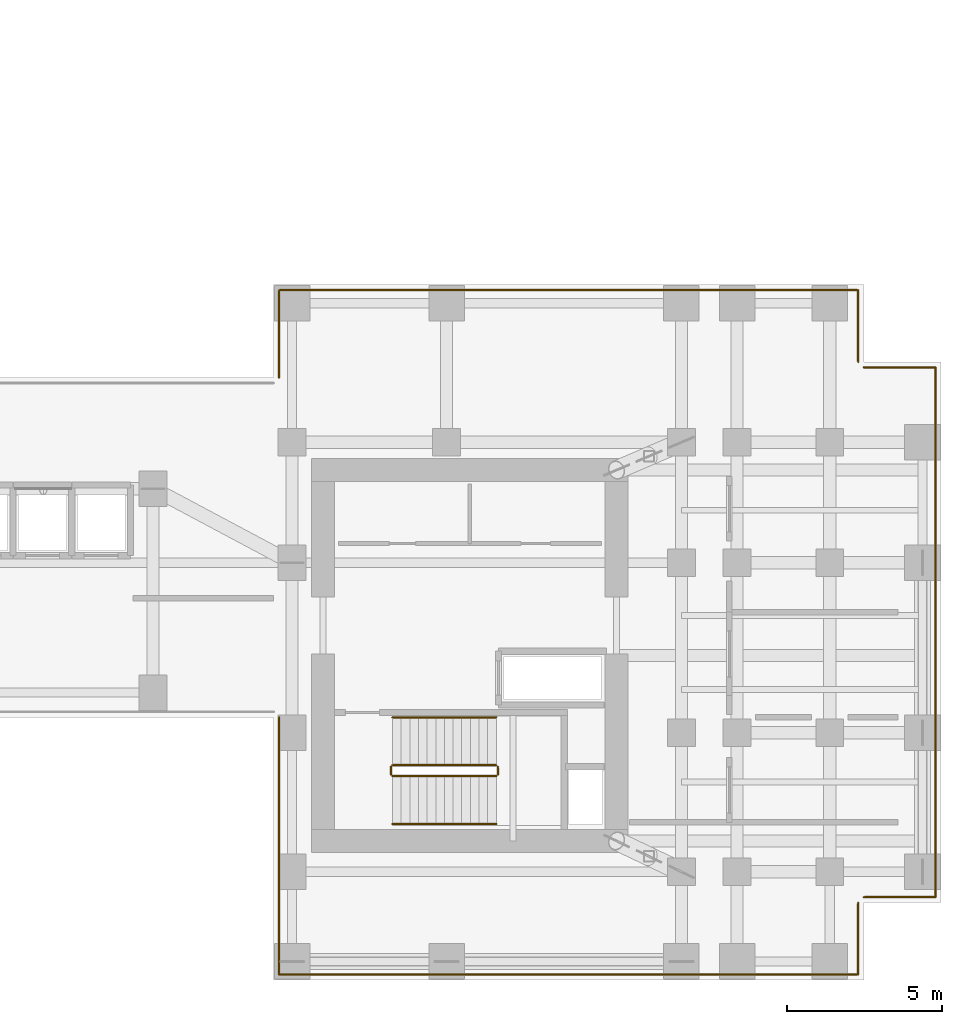
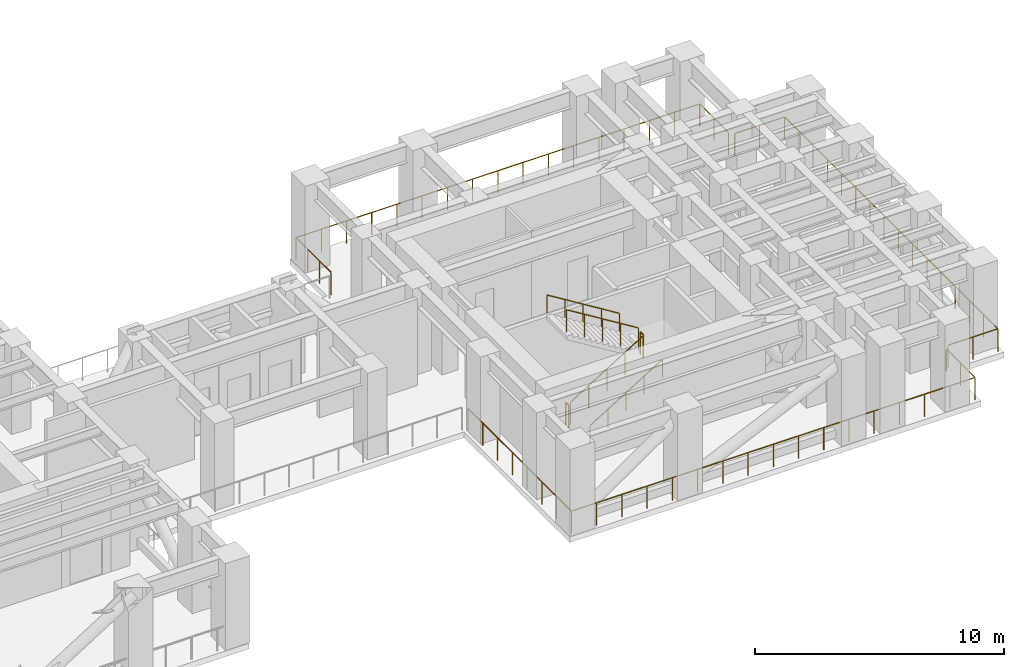
# One storey, part 15 of 16: 15 railings.
"""IFC4 building model written with IfcOpenShell, lengths in metres."""

from ifc_helpers import new_model, si_unit, direction, frame, origin, origin_2d, place, context, subcontext, project, spatial, circle, extrude, source, transform, mapped, material, layer, layer_set, type_object, element, save


model = new_model("IFC4")

# Units and contexts
model_context = context("Model", 3, precision=1e-05, world=origin(), true_north=direction((0.0, 1.0)))
body_context = subcontext(model_context, "Body", "Model", "MODEL_VIEW")
ifc_project = project(units=[si_unit("LENGTHUNIT", "METRE"), si_unit("AREAUNIT", "SQUARE_METRE"), si_unit("VOLUMEUNIT", "CUBIC_METRE"), si_unit("PLANEANGLEUNIT", "RADIAN"), si_unit("MASSUNIT", "GRAM", prefix="KILO")], contexts=[model_context])

# Site, building, storey
site_placement = place(None, origin())
site = spatial("IfcSite", under=ifc_project, at=site_placement, CompositionType="ELEMENT")
building_placement = place(site_placement, origin())
building = spatial("IfcBuilding", under=site, at=building_placement, Name="Kharzan Plaza Tower", CompositionType="ELEMENT")
storey_placement = place(building_placement, frame((0.0, 0.0, 138.60009765625)))
storey = spatial("IfcBuildingStorey", under=building, at=storey_placement, Name="L37", CompositionType="ELEMENT", Elevation=138.60009765625)

# Railings
ifc_material_1 = material(Name="Painted Galvanized Architectural Steel", Category="steel")
ifc_layer_1 = layer(ifc_material_1, 0.074951171875)
ifc_layer_set_1 = layer_set([ifc_layer_1], Name="Painted Galvanized Architectural Steel")
railing_type_1 = type_object("IfcRailingType", Name="RL-GUARD-1120", PredefinedType="BALUSTRADE", material=ifc_layer_set_1)
shared_shape_1 = source(origin(), body_context, "Body", "SweptSolid", [
    extrude(circle(Radius=0.02392578125, at=origin_2d()), frame((0.0224609375, 0.0, 1.10986328125), z_axis=(0.850623216509, 0.0, 0.525775754039), x_axis=(0.0, 1.0, 0.0)), (0.0, 0.0, 1.0), 3.897216796875),
    extrude(circle(Radius=0.02099609375, at=origin_2d()), origin(), (0.0, 0.0, 1.0), 1.072021484375),
    extrude(circle(Radius=0.02099609375, at=origin_2d()), frame((0.840087890625, 0.0, 0.519287109375)), (0.0, 0.0, 1.0), 1.072021484375),
    extrude(circle(Radius=0.02099609375, at=origin_2d()), frame((1.68017578125, 0.0, 1.03857421875)), (0.0, 0.0, 1.0), 1.072021484375),
    extrude(circle(Radius=0.02099609375, at=origin_2d()), frame((2.52001953125, 0.0, 1.5576171875)), (0.0, 0.0, 1.0), 1.072021484375),
    extrude(circle(Radius=0.02099609375, at=origin_2d()), frame((3.360107421875, 0.0, 2.076904296875)), (0.0, 0.0, 1.0), 1.072021484375),
])
railing_1_placement = place(storey_placement, frame((38.25, 6.60009765625, 0.173095703125)))
element("IfcRailing", 1, at=railing_1_placement, inside=storey, type_object=railing_type_1, Name="L37 ST-3 stair guard 1", PredefinedType="BALUSTRADE", context=body_context, shape_type="MappedRepresentation", body=[
    mapped(shared_shape_1, transform((0.0, 0.0, 0.0), x_axis=(1.0, 0.0, 0.0), y_axis=(0.0, 1.0, 0.0), z_axis=(0.0, 0.0, 1.0))),
])
shared_shape_2 = source(origin(), body_context, "Body", "SweptSolid", [
    extrude(circle(Radius=0.02392578125, at=origin_2d()), frame((0.0, 0.0263671875, 1.09619140625), z_axis=(0.0, 1.0, 0.0), x_axis=(-1.0, 0.0, 0.0)), (0.0, 0.0, 1.0), 0.197021484375),
    extrude(circle(Radius=0.02099609375, at=origin_2d()), origin(), (0.0, 0.0, 1.0), 1.072021484375),
    extrude(circle(Radius=0.02099609375, at=origin_2d()), frame((0.0, 0.25, 0.0)), (0.0, 0.0, 1.0), 1.072021484375),
])
for number, where, name in (
    (2, (41.659912109375, 6.64990234375, 2.25), "L37 ST-3 stair guard 2"),
    (3, (38.199951171875, 6.64990234375, 0.0), "L37 ST-3 stair guard 4"),
):
    element("IfcRailing", number, at=place(storey_placement, frame(where)), inside=storey, type_object=railing_type_1, Name=name, PredefinedType="BALUSTRADE", context=body_context, shape_type="MappedRepresentation", body=[
        mapped(shared_shape_2, transform((0.0, 0.0, 0.0), x_axis=(1.0, 0.0, 0.0), y_axis=(0.0, 1.0, 0.0), z_axis=(0.0, 0.0, 1.0))),
    ])
shared_shape_3 = source(origin(), body_context, "Body", "SweptSolid", [
    extrude(circle(Radius=0.02392578125, at=origin_2d()), frame((-0.0224609375, 0.0, 1.10986328125), z_axis=(-0.850623216509, 0.0, 0.525775754039), x_axis=(0.0, -1.0, 0.0)), (0.0, 0.0, 1.0), 3.897216796875),
    extrude(circle(Radius=0.02099609375, at=origin_2d()), origin(), (0.0, 0.0, 1.0), 1.072021484375),
    extrude(circle(Radius=0.02099609375, at=origin_2d()), frame((-0.840087890625, 0.0, 0.519287109375)), (0.0, 0.0, 1.0), 1.072021484375),
    extrude(circle(Radius=0.02099609375, at=origin_2d()), frame((-1.68017578125, 0.0, 1.03857421875)), (0.0, 0.0, 1.0), 1.072021484375),
    extrude(circle(Radius=0.02099609375, at=origin_2d()), frame((-2.52001953125, 0.0, 1.5576171875)), (0.0, 0.0, 1.0), 1.072021484375),
    extrude(circle(Radius=0.02099609375, at=origin_2d()), frame((-3.360107421875, 0.0, 2.076904296875)), (0.0, 0.0, 1.0), 1.072021484375),
])
railing_2_placement = place(storey_placement, frame((41.610107421875, 6.949951171875, 2.423095703125)))
element("IfcRailing", 4, at=railing_2_placement, inside=storey, type_object=railing_type_1, Name="L37 ST-3 stair guard 3", PredefinedType="BALUSTRADE", context=body_context, shape_type="MappedRepresentation", body=[
    mapped(shared_shape_3, transform((0.0, 0.0, 0.0), x_axis=(1.0, 0.0, 0.0), y_axis=(0.0, 1.0, 0.0), z_axis=(0.0, 0.0, 1.0))),
])
ifc_material_2 = material(Name="Brushed Stainless Steel", Category="steel")
ifc_layer_2 = layer(ifc_material_2, 0.050048828125)
ifc_layer_set_2 = layer_set([ifc_layer_2], Name="Brushed Stainless Steel")
railing_type_2 = type_object("IfcRailingType", Name="RL-STAIR-HR920", PredefinedType="HANDRAIL", material=ifc_layer_set_2)
shared_shape_4 = source(origin(), body_context, "Body", "SweptSolid", [
    extrude(circle(Radius=0.02392578125, at=origin_2d()), frame((0.0224609375, 0.0, 0.8896484375), z_axis=(0.850623216509, 0.0, 0.525775754039), x_axis=(0.0, 1.0, 0.0)), (0.0, 0.0, 1.0), 3.897216796875),
    extrude(circle(Radius=0.02099609375, at=origin_2d()), origin(), (0.0, 0.0, 1.0), 0.851806640625),
    extrude(circle(Radius=0.02099609375, at=origin_2d()), frame((0.840087890625, 0.0, 0.519287109375)), (0.0, 0.0, 1.0), 0.851806640625),
    extrude(circle(Radius=0.02099609375, at=origin_2d()), frame((1.68017578125, 0.0, 1.03857421875)), (0.0, 0.0, 1.0), 0.851806640625),
    extrude(circle(Radius=0.02099609375, at=origin_2d()), frame((2.52001953125, 0.0, 1.5576171875)), (0.0, 0.0, 1.0), 0.851806640625),
    extrude(circle(Radius=0.02099609375, at=origin_2d()), frame((3.360107421875, 0.0, 2.076904296875)), (0.0, 0.0, 1.0), 0.851806640625),
])
railing_3_placement = place(storey_placement, frame((38.25, 5.050048828125, 0.173095703125)))
element("IfcRailing", 5, at=railing_3_placement, inside=storey, type_object=railing_type_2, Name="L37 ST-3 stair handrail 1", PredefinedType="HANDRAIL", context=body_context, shape_type="MappedRepresentation", body=[
    mapped(shared_shape_4, transform((0.0, 0.0, 0.0), x_axis=(1.0, 0.0, 0.0), y_axis=(0.0, 1.0, 0.0), z_axis=(0.0, 0.0, 1.0))),
])
shared_shape_5 = source(origin(), body_context, "Body", "SweptSolid", [
    extrude(circle(Radius=0.02392578125, at=origin_2d()), frame((-0.0224609375, 0.0, 0.8896484375), z_axis=(-0.850623216509, 0.0, 0.525775754039), x_axis=(0.0, -1.0, 0.0)), (0.0, 0.0, 1.0), 3.897216796875),
    extrude(circle(Radius=0.02099609375, at=origin_2d()), origin(), (0.0, 0.0, 1.0), 0.851806640625),
    extrude(circle(Radius=0.02099609375, at=origin_2d()), frame((-0.840087890625, 0.0, 0.519287109375)), (0.0, 0.0, 1.0), 0.851806640625),
    extrude(circle(Radius=0.02099609375, at=origin_2d()), frame((-1.68017578125, 0.0, 1.03857421875)), (0.0, 0.0, 1.0), 0.851806640625),
    extrude(circle(Radius=0.02099609375, at=origin_2d()), frame((-2.52001953125, 0.0, 1.5576171875)), (0.0, 0.0, 1.0), 0.851806640625),
    extrude(circle(Radius=0.02099609375, at=origin_2d()), frame((-3.360107421875, 0.0, 2.076904296875)), (0.0, 0.0, 1.0), 0.851806640625),
])
railing_4_placement = place(storey_placement, frame((41.610107421875, 8.5, 2.423095703125)))
element("IfcRailing", 6, at=railing_4_placement, inside=storey, type_object=railing_type_2, Name="L37 ST-3 stair handrail 2", PredefinedType="HANDRAIL", context=body_context, shape_type="MappedRepresentation", body=[
    mapped(shared_shape_5, transform((0.0, 0.0, 0.0), x_axis=(1.0, 0.0, 0.0), y_axis=(0.0, 1.0, 0.0), z_axis=(0.0, 0.0, 1.0))),
])
shared_shape_6 = source(origin(), body_context, "Body", "SweptSolid", [
    extrude(circle(Radius=0.02392578125, at=origin_2d()), frame((0.0, -0.0263671875, 1.09619140625), z_axis=(0.0, -1.0, 0.0), x_axis=(1.0, 0.0, 0.0)), (0.0, 0.0, 1.0), 2.26708984375),
    extrude(circle(Radius=0.02099609375, at=origin_2d()), origin(), (0.0, 0.0, 1.0), 1.072021484375),
    extrude(circle(Radius=0.02099609375, at=origin_2d()), frame((0.0, -1.16015625, 0.0)), (0.0, 0.0, 1.0), 1.072021484375),
    extrude(circle(Radius=0.02099609375, at=origin_2d()), frame((0.0, -2.320068359375, 0.0)), (0.0, 0.0, 1.0), 1.072021484375),
])
for number, where, name in (
    (7, (53.320068359375, 22.320068359375, 0.0), "L37 Open Refuge Floor Perimeter Guard 03"),
    (8, (53.320068359375, 2.5, 0.0), "L37 Open Refuge Floor Perimeter Guard 39"),
):
    element("IfcRailing", number, at=place(storey_placement, frame(where)), inside=storey, type_object=railing_type_1, Name=name, PredefinedType="BALUSTRADE", context=body_context, shape_type="MappedRepresentation", body=[
        mapped(shared_shape_6, transform((0.0, 0.0, 0.0), x_axis=(1.0, 0.0, 0.0), y_axis=(0.0, 1.0, 0.0), z_axis=(0.0, 0.0, 1.0))),
    ])
shared_shape_7 = source(origin(), body_context, "Body", "SweptSolid", [
    extrude(circle(Radius=0.02392578125, at=origin_2d()), frame((0.0263671875, 0.0, 1.09619140625), z_axis=(1.0, 0.0, 0.0), x_axis=(0.0, 1.0, 0.0)), (0.0, 0.0, 1.0), 2.26708984375),
    extrude(circle(Radius=0.02099609375, at=origin_2d()), origin(), (0.0, 0.0, 1.0), 1.072021484375),
    extrude(circle(Radius=0.02099609375, at=origin_2d()), frame((1.16015625, 0.0, 0.0)), (0.0, 0.0, 1.0), 1.072021484375),
    extrude(circle(Radius=0.02099609375, at=origin_2d()), frame((2.320068359375, 0.0, 0.0)), (0.0, 0.0, 1.0), 1.072021484375),
])
railing_5_placement = place(storey_placement, frame((53.5, 19.820068359375, 0.0)))
element("IfcRailing", 9, at=railing_5_placement, inside=storey, type_object=railing_type_1, Name="L37 Open Refuge Floor Perimeter Guard 20", PredefinedType="BALUSTRADE", context=body_context, shape_type="MappedRepresentation", body=[
    mapped(shared_shape_7, transform((0.0, 0.0, 0.0), x_axis=(1.0, 0.0, 0.0), y_axis=(0.0, 1.0, 0.0), z_axis=(0.0, 0.0, 1.0))),
])
shared_shape_8 = source(origin(), body_context, "Body", "SweptSolid", [
    extrude(circle(Radius=0.02392578125, at=origin_2d()), frame((0.0, -0.0263671875, 1.09619140625), z_axis=(0.0, -1.0, 0.0), x_axis=(1.0, 0.0, 0.0)), (0.0, 0.0, 1.0), 17.087158203125),
    extrude(circle(Radius=0.02099609375, at=origin_2d()), origin(), (0.0, 0.0, 1.0), 1.072021484375),
    extrude(circle(Radius=0.02099609375, at=origin_2d()), frame((0.0, -1.142578125, 0.0)), (0.0, 0.0, 1.0), 1.072021484375),
    extrude(circle(Radius=0.02099609375, at=origin_2d()), frame((0.0, -2.285400390625, 0.0)), (0.0, 0.0, 1.0), 1.072021484375),
    extrude(circle(Radius=0.02099609375, at=origin_2d()), frame((0.0, -3.427978515625, 0.0)), (0.0, 0.0, 1.0), 1.072021484375),
    extrude(circle(Radius=0.02099609375, at=origin_2d()), frame((0.0, -4.57080078125, 0.0)), (0.0, 0.0, 1.0), 1.072021484375),
    extrude(circle(Radius=0.02099609375, at=origin_2d()), frame((0.0, -5.71337890625, 0.0)), (0.0, 0.0, 1.0), 1.072021484375),
    extrude(circle(Radius=0.02099609375, at=origin_2d()), frame((0.0, -6.85595703125, 0.0)), (0.0, 0.0, 1.0), 1.072021484375),
    extrude(circle(Radius=0.02099609375, at=origin_2d()), frame((0.0, -7.998779296875, 0.0)), (0.0, 0.0, 1.0), 1.072021484375),
    extrude(circle(Radius=0.02099609375, at=origin_2d()), frame((0.0, -9.141357421875, 0.0)), (0.0, 0.0, 1.0), 1.072021484375),
    extrude(circle(Radius=0.02099609375, at=origin_2d()), frame((0.0, -10.2841796875, 0.0)), (0.0, 0.0, 1.0), 1.072021484375),
    extrude(circle(Radius=0.02099609375, at=origin_2d()), frame((0.0, -11.4267578125, 0.0)), (0.0, 0.0, 1.0), 1.072021484375),
    extrude(circle(Radius=0.02099609375, at=origin_2d()), frame((0.0, -12.5693359375, 0.0)), (0.0, 0.0, 1.0), 1.072021484375),
    extrude(circle(Radius=0.02099609375, at=origin_2d()), frame((0.0, -13.712158203125, 0.0)), (0.0, 0.0, 1.0), 1.072021484375),
    extrude(circle(Radius=0.02099609375, at=origin_2d()), frame((0.0, -14.854736328125, 0.0)), (0.0, 0.0, 1.0), 1.072021484375),
    extrude(circle(Radius=0.02099609375, at=origin_2d()), frame((0.0, -15.99755859375, 0.0)), (0.0, 0.0, 1.0), 1.072021484375),
    extrude(circle(Radius=0.02099609375, at=origin_2d()), frame((0.0, -17.14013671875, 0.0)), (0.0, 0.0, 1.0), 1.072021484375),
])
railing_6_placement = place(storey_placement, frame((55.820068359375, 19.820068359375, 0.0)))
element("IfcRailing", 10, at=railing_6_placement, inside=storey, type_object=railing_type_1, Name="L37 Open Refuge Floor Perimeter Guard 21", PredefinedType="BALUSTRADE", context=body_context, shape_type="MappedRepresentation", body=[
    mapped(shared_shape_8, transform((0.0, 0.0, 0.0), x_axis=(1.0, 0.0, 0.0), y_axis=(0.0, 1.0, 0.0), z_axis=(0.0, 0.0, 1.0))),
])
shared_shape_9 = source(origin(), body_context, "Body", "SweptSolid", [
    extrude(circle(Radius=0.02392578125, at=origin_2d()), frame((-0.0263671875, 0.0, 1.09619140625), z_axis=(-1.0, 0.0, 0.0), x_axis=(0.0, -1.0, 0.0)), (0.0, 0.0, 1.0), 2.26708984375),
    extrude(circle(Radius=0.02099609375, at=origin_2d()), origin(), (0.0, 0.0, 1.0), 1.072021484375),
    extrude(circle(Radius=0.02099609375, at=origin_2d()), frame((-1.16015625, 0.0, 0.0)), (0.0, 0.0, 1.0), 1.072021484375),
    extrude(circle(Radius=0.02099609375, at=origin_2d()), frame((-2.320068359375, 0.0, 0.0)), (0.0, 0.0, 1.0), 1.072021484375),
])
railing_7_placement = place(storey_placement, frame((55.820068359375, 2.679931640625, 0.0)))
element("IfcRailing", 11, at=railing_7_placement, inside=storey, type_object=railing_type_1, Name="L37 Open Refuge Floor Perimeter Guard 22", PredefinedType="BALUSTRADE", context=body_context, shape_type="MappedRepresentation", body=[
    mapped(shared_shape_9, transform((0.0, 0.0, 0.0), x_axis=(1.0, 0.0, 0.0), y_axis=(0.0, 1.0, 0.0), z_axis=(0.0, 0.0, 1.0))),
])
shared_shape_10 = source(origin(), body_context, "Body", "SweptSolid", [
    extrude(circle(Radius=0.02392578125, at=origin_2d()), frame((0.0, 0.0263671875, 1.09619140625), z_axis=(0.0, 1.0, 0.0), x_axis=(-1.0, 0.0, 0.0)), (0.0, 0.0, 1.0), 8.26708984375),
    extrude(circle(Radius=0.02099609375, at=origin_2d()), origin(), (0.0, 0.0, 1.0), 1.072021484375),
    extrude(circle(Radius=0.02099609375, at=origin_2d()), frame((0.0, 1.1884765625, 0.0)), (0.0, 0.0, 1.0), 1.072021484375),
    extrude(circle(Radius=0.02099609375, at=origin_2d()), frame((0.0, 2.377197265625, 0.0)), (0.0, 0.0, 1.0), 1.072021484375),
    extrude(circle(Radius=0.02099609375, at=origin_2d()), frame((0.0, 3.565673828125, 0.0)), (0.0, 0.0, 1.0), 1.072021484375),
    extrude(circle(Radius=0.02099609375, at=origin_2d()), frame((0.0, 4.75439453125, 0.0)), (0.0, 0.0, 1.0), 1.072021484375),
    extrude(circle(Radius=0.02099609375, at=origin_2d()), frame((0.0, 5.94287109375, 0.0)), (0.0, 0.0, 1.0), 1.072021484375),
    extrude(circle(Radius=0.02099609375, at=origin_2d()), frame((0.0, 7.131591796875, 0.0)), (0.0, 0.0, 1.0), 1.072021484375),
    extrude(circle(Radius=0.02099609375, at=origin_2d()), frame((0.0, 8.320068359375, 0.0)), (0.0, 0.0, 1.0), 1.072021484375),
])
railing_8_placement = place(storey_placement, frame((34.580078125, 0.179931640625, 0.0)))
element("IfcRailing", 12, at=railing_8_placement, inside=storey, type_object=railing_type_1, Name="L37 Open Refuge Floor Perimeter Guard 41", PredefinedType="BALUSTRADE", context=body_context, shape_type="MappedRepresentation", body=[
    mapped(shared_shape_10, transform((0.0, 0.0, 0.0), x_axis=(1.0, 0.0, 0.0), y_axis=(0.0, 1.0, 0.0), z_axis=(0.0, 0.0, 1.0))),
])
shared_shape_11 = source(origin(), body_context, "Body", "SweptSolid", [
    extrude(circle(Radius=0.02392578125, at=origin_2d()), frame((0.0, 0.0263671875, 1.09619140625), z_axis=(0.0, 1.0, 0.0), x_axis=(-1.0, 0.0, 0.0)), (0.0, 0.0, 1.0), 2.76708984375),
    extrude(circle(Radius=0.02099609375, at=origin_2d()), origin(), (0.0, 0.0, 1.0), 1.072021484375),
    extrude(circle(Radius=0.02099609375, at=origin_2d()), frame((0.0, 0.93994140625, 0.0)), (0.0, 0.0, 1.0), 1.072021484375),
    extrude(circle(Radius=0.02099609375, at=origin_2d()), frame((0.0, 1.880126953125, 0.0)), (0.0, 0.0, 1.0), 1.072021484375),
    extrude(circle(Radius=0.02099609375, at=origin_2d()), frame((0.0, 2.820068359375, 0.0)), (0.0, 0.0, 1.0), 1.072021484375),
])
railing_9_placement = place(storey_placement, frame((34.580078125, 19.5, 0.0)))
element("IfcRailing", 13, at=railing_9_placement, inside=storey, type_object=railing_type_1, Name="L37 Open Refuge Floor Perimeter Guard 01", PredefinedType="BALUSTRADE", context=body_context, shape_type="MappedRepresentation", body=[
    mapped(shared_shape_11, transform((0.0, 0.0, 0.0), x_axis=(1.0, 0.0, 0.0), y_axis=(0.0, 1.0, 0.0), z_axis=(0.0, 0.0, 1.0))),
])
shared_shape_12 = source(origin(), body_context, "Body", "SweptSolid", [
    extrude(circle(Radius=0.02392578125, at=origin_2d()), frame((0.0263671875, 0.0, 1.09619140625), z_axis=(1.0, 0.0, 0.0), x_axis=(0.0, 1.0, 0.0)), (0.0, 0.0, 1.0), 18.68701171875),
    extrude(circle(Radius=0.02099609375, at=origin_2d()), origin(), (0.0, 0.0, 1.0), 1.072021484375),
    extrude(circle(Radius=0.02099609375, at=origin_2d()), frame((1.171142578125, 0.0, 0.0)), (0.0, 0.0, 1.0), 1.072021484375),
    extrude(circle(Radius=0.02099609375, at=origin_2d()), frame((2.342529296875, 0.0, 0.0)), (0.0, 0.0, 1.0), 1.072021484375),
    extrude(circle(Radius=0.02099609375, at=origin_2d()), frame((3.513671875, 0.0, 0.0)), (0.0, 0.0, 1.0), 1.072021484375),
    extrude(circle(Radius=0.02099609375, at=origin_2d()), frame((4.68505859375, 0.0, 0.0)), (0.0, 0.0, 1.0), 1.072021484375),
    extrude(circle(Radius=0.02099609375, at=origin_2d()), frame((5.856201171875, 0.0, 0.0)), (0.0, 0.0, 1.0), 1.072021484375),
    extrude(circle(Radius=0.02099609375, at=origin_2d()), frame((7.027587890625, 0.0, 0.0)), (0.0, 0.0, 1.0), 1.072021484375),
    extrude(circle(Radius=0.02099609375, at=origin_2d()), frame((8.19873046875, 0.0, 0.0)), (0.0, 0.0, 1.0), 1.072021484375),
    extrude(circle(Radius=0.02099609375, at=origin_2d()), frame((9.3701171875, 0.0, 0.0)), (0.0, 0.0, 1.0), 1.072021484375),
    extrude(circle(Radius=0.02099609375, at=origin_2d()), frame((10.541259765625, 0.0, 0.0)), (0.0, 0.0, 1.0), 1.072021484375),
    extrude(circle(Radius=0.02099609375, at=origin_2d()), frame((11.71240234375, 0.0, 0.0)), (0.0, 0.0, 1.0), 1.072021484375),
    extrude(circle(Radius=0.02099609375, at=origin_2d()), frame((12.8837890625, 0.0, 0.0)), (0.0, 0.0, 1.0), 1.072021484375),
    extrude(circle(Radius=0.02099609375, at=origin_2d()), frame((14.054931640625, 0.0, 0.0)), (0.0, 0.0, 1.0), 1.072021484375),
    extrude(circle(Radius=0.02099609375, at=origin_2d()), frame((15.226318359375, 0.0, 0.0)), (0.0, 0.0, 1.0), 1.072021484375),
    extrude(circle(Radius=0.02099609375, at=origin_2d()), frame((16.3974609375, 0.0, 0.0)), (0.0, 0.0, 1.0), 1.072021484375),
    extrude(circle(Radius=0.02099609375, at=origin_2d()), frame((17.56884765625, 0.0, 0.0)), (0.0, 0.0, 1.0), 1.072021484375),
    extrude(circle(Radius=0.02099609375, at=origin_2d()), frame((18.739990234375, 0.0, 0.0)), (0.0, 0.0, 1.0), 1.072021484375),
])
railing_10_placement = place(storey_placement, frame((34.580078125, 22.320068359375, 0.0)))
element("IfcRailing", 14, at=railing_10_placement, inside=storey, type_object=railing_type_1, Name="L37 Open Refuge Floor Perimeter Guard 02", PredefinedType="BALUSTRADE", context=body_context, shape_type="MappedRepresentation", body=[
    mapped(shared_shape_12, transform((0.0, 0.0, 0.0), x_axis=(1.0, 0.0, 0.0), y_axis=(0.0, 1.0, 0.0), z_axis=(0.0, 0.0, 1.0))),
])
shared_shape_13 = source(origin(), body_context, "Body", "SweptSolid", [
    extrude(circle(Radius=0.02392578125, at=origin_2d()), frame((-0.0263671875, 0.0, 1.09619140625), z_axis=(-1.0, 0.0, 0.0), x_axis=(0.0, -1.0, 0.0)), (0.0, 0.0, 1.0), 18.68701171875),
    extrude(circle(Radius=0.02099609375, at=origin_2d()), origin(), (0.0, 0.0, 1.0), 1.072021484375),
    extrude(circle(Radius=0.02099609375, at=origin_2d()), frame((-1.171142578125, 0.0, 0.0)), (0.0, 0.0, 1.0), 1.072021484375),
    extrude(circle(Radius=0.02099609375, at=origin_2d()), frame((-2.342529296875, 0.0, 0.0)), (0.0, 0.0, 1.0), 1.072021484375),
    extrude(circle(Radius=0.02099609375, at=origin_2d()), frame((-3.513671875, 0.0, 0.0)), (0.0, 0.0, 1.0), 1.072021484375),
    extrude(circle(Radius=0.02099609375, at=origin_2d()), frame((-4.68505859375, 0.0, 0.0)), (0.0, 0.0, 1.0), 1.072021484375),
    extrude(circle(Radius=0.02099609375, at=origin_2d()), frame((-5.856201171875, 0.0, 0.0)), (0.0, 0.0, 1.0), 1.072021484375),
    extrude(circle(Radius=0.02099609375, at=origin_2d()), frame((-7.027587890625, 0.0, 0.0)), (0.0, 0.0, 1.0), 1.072021484375),
    extrude(circle(Radius=0.02099609375, at=origin_2d()), frame((-8.19873046875, 0.0, 0.0)), (0.0, 0.0, 1.0), 1.072021484375),
    extrude(circle(Radius=0.02099609375, at=origin_2d()), frame((-9.3701171875, 0.0, 0.0)), (0.0, 0.0, 1.0), 1.072021484375),
    extrude(circle(Radius=0.02099609375, at=origin_2d()), frame((-10.541259765625, 0.0, 0.0)), (0.0, 0.0, 1.0), 1.072021484375),
    extrude(circle(Radius=0.02099609375, at=origin_2d()), frame((-11.71240234375, 0.0, 0.0)), (0.0, 0.0, 1.0), 1.072021484375),
    extrude(circle(Radius=0.02099609375, at=origin_2d()), frame((-12.8837890625, 0.0, 0.0)), (0.0, 0.0, 1.0), 1.072021484375),
    extrude(circle(Radius=0.02099609375, at=origin_2d()), frame((-14.054931640625, 0.0, 0.0)), (0.0, 0.0, 1.0), 1.072021484375),
    extrude(circle(Radius=0.02099609375, at=origin_2d()), frame((-15.226318359375, 0.0, 0.0)), (0.0, 0.0, 1.0), 1.072021484375),
    extrude(circle(Radius=0.02099609375, at=origin_2d()), frame((-16.3974609375, 0.0, 0.0)), (0.0, 0.0, 1.0), 1.072021484375),
    extrude(circle(Radius=0.02099609375, at=origin_2d()), frame((-17.56884765625, 0.0, 0.0)), (0.0, 0.0, 1.0), 1.072021484375),
    extrude(circle(Radius=0.02099609375, at=origin_2d()), frame((-18.739990234375, 0.0, 0.0)), (0.0, 0.0, 1.0), 1.072021484375),
])
railing_11_placement = place(storey_placement, frame((53.320068359375, 0.179931640625, 0.0)))
element("IfcRailing", 15, at=railing_11_placement, inside=storey, type_object=railing_type_1, Name="L37 Open Refuge Floor Perimeter Guard 40", PredefinedType="BALUSTRADE", context=body_context, shape_type="MappedRepresentation", body=[
    mapped(shared_shape_13, transform((0.0, 0.0, 0.0), x_axis=(1.0, 0.0, 0.0), y_axis=(0.0, 1.0, 0.0), z_axis=(0.0, 0.0, 1.0))),
])

save(model, "model.ifc")
